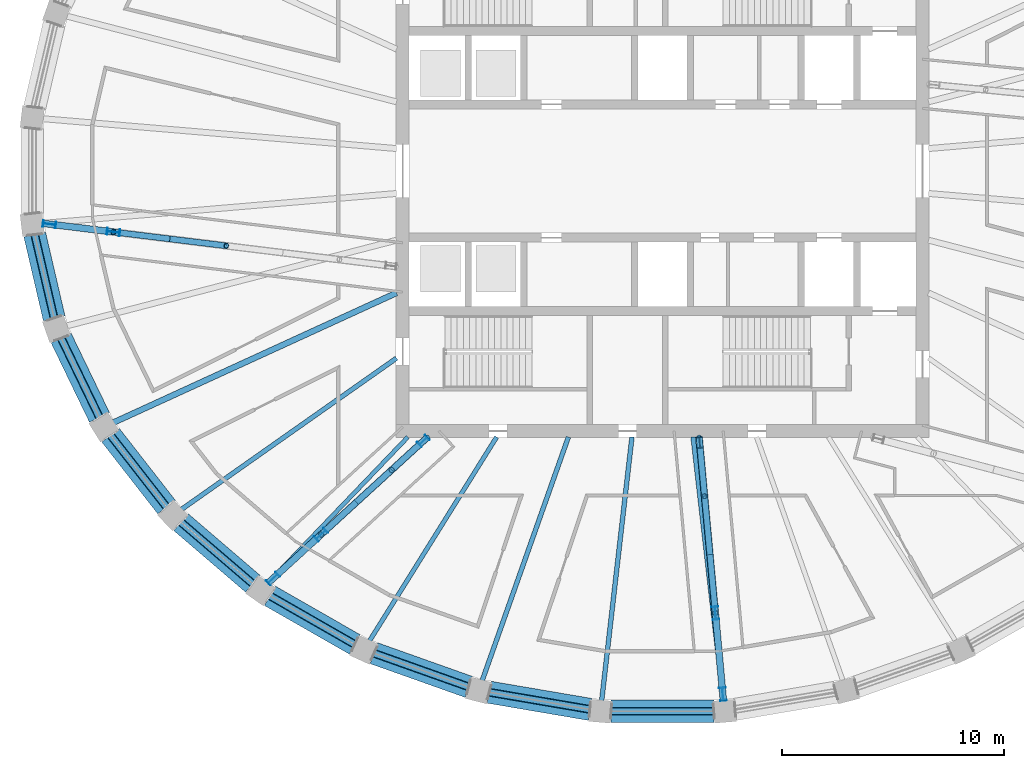
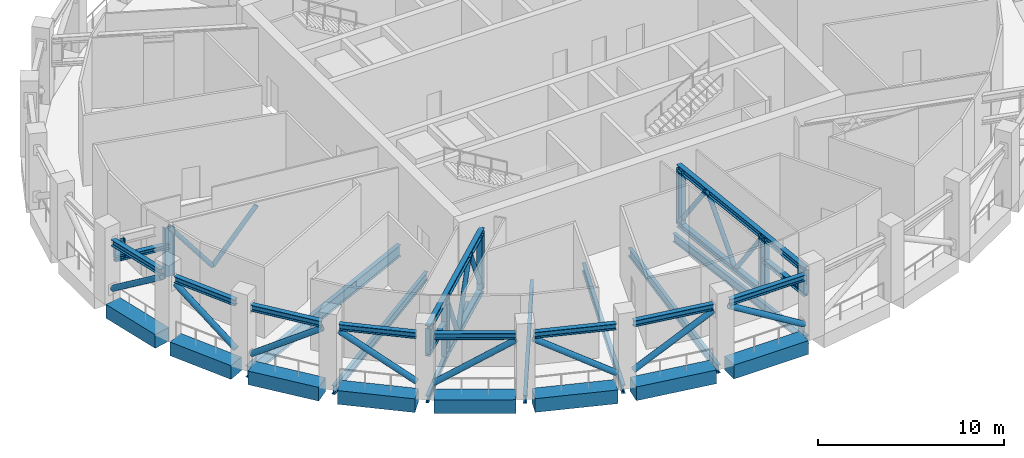
# One storey, part 2 of 20: 39 members, 15 beams.
"""IFC4 building model written with IfcOpenShell, lengths in metres."""

from ifc_helpers import new_model, si_unit, direction, frame, origin, origin_2d, place, context, subcontext, project, spatial, rectangle, hollow_circle, i_section, extrude, material, material_profile, profile_set, type_object, element, save


model = new_model("IFC4")

# Units and contexts
model_context = context("Model", 3, precision=1e-05, world=origin(), true_north=direction((0.0, 1.0)))
body_context = subcontext(model_context, "Body", "Model", "MODEL_VIEW")
ifc_project = project(units=[si_unit("LENGTHUNIT", "METRE"), si_unit("AREAUNIT", "SQUARE_METRE"), si_unit("VOLUMEUNIT", "CUBIC_METRE"), si_unit("PLANEANGLEUNIT", "RADIAN"), si_unit("MASSUNIT", "GRAM", prefix="KILO")], contexts=[model_context])

# Site, building, storey
site_placement = place(None, origin())
site = spatial("IfcSite", under=ifc_project, at=site_placement, CompositionType="ELEMENT")
building_placement = place(site_placement, origin())
building = spatial("IfcBuilding", under=site, at=building_placement, Name="Halqa Exchange Tower", CompositionType="ELEMENT")
storey_placement = place(building_placement, frame((0.0, 0.0, 328.300048828125)))
storey = spatial("IfcBuildingStorey", under=building, at=storey_placement, Name="L77", CompositionType="ELEMENT", Elevation=328.300048828125)

# Members
ifc_material_1 = material(Name="Steel S355", Category="steel")
ifc_material_profile_1 = material_profile(ifc_material_1, i_section(OverallWidth=0.300048828125, OverallDepth=0.39990234375, WebThickness=0.013427734375, FlangeThickness=0.02392578125, FilletRadius=0.027099609375, at=origin_2d()), Name="HEB 400")
ifc_profile_set_1 = profile_set([ifc_material_profile_1], Name="Steel S355")
member_type_1 = type_object("IfcMemberType", Name="Belt truss chord HEB 400", PredefinedType="CHORD", material=ifc_profile_set_1)
member_1_placement = place(storey_placement, frame((-28.255126953125, -2.85791015625, 3.89990234375), z_axis=(0.226024956328, -0.974121511474, 0.0), x_axis=(0.974121511474, 0.226024956328, 0.0)))
element("IfcMember", 1, at=member_1_placement, inside=storey, type_object=member_type_1, Name="Belt chord 17", PredefinedType="CHORD", context=body_context, shape_type="SweptSolid", body=[
    extrude(i_section(OverallWidth=0.300048828125, OverallDepth=0.39990234375, WebThickness=0.013427734375, FlangeThickness=0.02392578125, FilletRadius=0.027099609375, at=origin_2d()), origin(), (0.0, 0.0, 1.0), 3.8701171875),
])
member_2_placement = place(storey_placement, frame((-27.066162109375, -7.51904296875, 3.89990234375), z_axis=(0.435102095342, -0.900381122986, 0.0), x_axis=(0.900381122986, 0.435102095342, 0.0)))
element("IfcMember", 2, at=member_2_placement, inside=storey, type_object=member_type_1, Name="Belt chord 18", PredefinedType="CHORD", context=body_context, shape_type="SweptSolid", body=[
    extrude(i_section(OverallWidth=0.300048828125, OverallDepth=0.39990234375, WebThickness=0.013427734375, FlangeThickness=0.02392578125, FilletRadius=0.027099609375, at=origin_2d()), origin(), (0.0, 0.0, 1.0), 3.96435546875),
])
member_3_placement = place(storey_placement, frame((-24.843505859375, -11.889404296875, 3.89990234375), z_axis=(0.614855529737, -0.78863976412, 0.0), x_axis=(0.78863976412, 0.614855529737, 0.0)))
element("IfcMember", 3, at=member_3_placement, inside=storey, type_object=member_type_1, Name="Belt chord 19", PredefinedType="CHORD", context=body_context, shape_type="SweptSolid", body=[
    extrude(i_section(OverallWidth=0.300048828125, OverallDepth=0.39990234375, WebThickness=0.013427734375, FlangeThickness=0.02392578125, FilletRadius=0.027099609375, at=origin_2d()), origin(), (0.0, 0.0, 1.0), 4.099365234375),
])
member_4_placement = place(storey_placement, frame((-21.67041015625, -15.806396484375, 3.89990234375), z_axis=(0.75928090671, -0.650763017315, 0.0), x_axis=(0.650763017315, 0.75928090671, 0.0)))
element("IfcMember", 4, at=member_4_placement, inside=storey, type_object=member_type_1, Name="Belt chord 20", PredefinedType="CHORD", context=body_context, shape_type="SweptSolid", body=[
    extrude(i_section(OverallWidth=0.300048828125, OverallDepth=0.39990234375, WebThickness=0.013427734375, FlangeThickness=0.02392578125, FilletRadius=0.027099609375, at=origin_2d()), origin(), (0.0, 0.0, 1.0), 4.25439453125),
])
member_5_placement = place(storey_placement, frame((-17.669189453125, -19.118896484375, 3.89990234375), z_axis=(0.867758571209, -0.496985977764, 0.0), x_axis=(0.496985977764, 0.867758571209, 0.0)))
element("IfcMember", 5, at=member_5_placement, inside=storey, type_object=member_type_1, Name="Belt chord 21", PredefinedType="CHORD", context=body_context, shape_type="SweptSolid", body=[
    extrude(i_section(OverallWidth=0.300048828125, OverallDepth=0.39990234375, WebThickness=0.013427734375, FlangeThickness=0.02392578125, FilletRadius=0.027099609375, at=origin_2d()), origin(), (0.0, 0.0, 1.0), 4.406494140625),
])
member_6_placement = place(storey_placement, frame((-12.9873046875, -21.702880859375, 3.89990234375), z_axis=(0.942357563156, -0.334607565908, 0.0), x_axis=(0.334607565908, 0.942357563156, 0.0)))
element("IfcMember", 6, at=member_6_placement, inside=storey, type_object=member_type_1, Name="Belt chord 22", PredefinedType="CHORD", context=body_context, shape_type="SweptSolid", body=[
    extrude(i_section(OverallWidth=0.300048828125, OverallDepth=0.39990234375, WebThickness=0.013427734375, FlangeThickness=0.02392578125, FilletRadius=0.027099609375, at=origin_2d()), origin(), (0.0, 0.0, 1.0), 4.528076171875),
])
member_7_placement = place(storey_placement, frame((-7.8056640625, -23.456298828125, 3.89990234375), z_axis=(0.985773042695, -0.168081849987, 0.0), x_axis=(0.168081849987, 0.985773042695, 0.0)))
element("IfcMember", 7, at=member_7_placement, inside=storey, type_object=member_type_1, Name="Belt chord 23", PredefinedType="CHORD", context=body_context, shape_type="SweptSolid", body=[
    extrude(i_section(OverallWidth=0.300048828125, OverallDepth=0.39990234375, WebThickness=0.013427734375, FlangeThickness=0.02392578125, FilletRadius=0.027099609375, at=origin_2d()), origin(), (0.0, 0.0, 1.0), 4.6103515625),
])
member_8_placement = place(storey_placement, frame((-2.319580078125, -24.31103515625, 3.89990234375), z_axis=(1.0, 0.0, 0.0), x_axis=(0.0, 1.0, 0.0)))
element("IfcMember", 8, at=member_8_placement, inside=storey, type_object=member_type_1, Name="Belt chord 24", PredefinedType="CHORD", context=body_context, shape_type="SweptSolid", body=[
    extrude(i_section(OverallWidth=0.300048828125, OverallDepth=0.39990234375, WebThickness=0.013427734375, FlangeThickness=0.02392578125, FilletRadius=0.027099609375, at=origin_2d()), origin(), (0.0, 0.0, 1.0), 4.63916015625),
])
ifc_material_profile_2 = material_profile(ifc_material_1, hollow_circle(Radius=0.177734375, WallThickness=0.02001953125, at=origin_2d()), Name="CHS 355.6x20")
ifc_profile_set_2 = profile_set([ifc_material_profile_2], Name="Steel S355")
member_type_2 = type_object("IfcMemberType", Name="Belt truss diagonal CHS 355.6x20", PredefinedType="BRACE", material=ifc_profile_set_2)
member_9_placement = place(storey_placement, frame((-28.25537109375, -2.857177734375, 0.8349609375), z_axis=(0.184739014673, -0.796104055143, 0.576272357347), x_axis=(0.974116294117, 0.226047440896, 0.0)))
element("IfcMember", 9, at=member_9_placement, inside=storey, type_object=member_type_2, Name="Belt diagonal 17", PredefinedType="BRACE", context=body_context, shape_type="SweptSolid", body=[
    extrude(hollow_circle(Radius=0.177734375, WallThickness=0.02001953125, at=origin_2d()), origin(), (0.0, 0.0, 1.0), 4.73779296875),
])
member_10_placement = place(storey_placement, frame((-27.06640625, -7.518310546875, 3.57177734375), z_axis=(0.357783030939, -0.740434616264, -0.568988472475), x_axis=(0.900393591265, 0.435076293091, 0.0)))
element("IfcMember", 10, at=member_10_placement, inside=storey, type_object=member_type_2, Name="Belt diagonal 18", PredefinedType="BRACE", context=body_context, shape_type="SweptSolid", body=[
    extrude(hollow_circle(Radius=0.177734375, WallThickness=0.02001953125, at=origin_2d()), origin(), (0.0, 0.0, 1.0), 4.8203125),
])
member_11_placement = place(storey_placement, frame((-24.8427734375, -11.89013671875, 0.81982421875), z_axis=(0.50993340575, -0.654174958089, 0.558590230768), x_axis=(0.788691154444, 0.614789608648, 0.0)))
element("IfcMember", 11, at=member_11_placement, inside=storey, type_object=member_type_2, Name="Belt diagonal 19", PredefinedType="BRACE", context=body_context, shape_type="SweptSolid", body=[
    extrude(hollow_circle(Radius=0.177734375, WallThickness=0.02001953125, at=origin_2d()), origin(), (0.0, 0.0, 1.0), 4.9423828125),
])
member_12_placement = place(storey_placement, frame((-21.67138671875, -15.805419921875, 3.590576171875), z_axis=(0.635586053548, -0.544801769902, -0.547011334477), x_axis=(0.650800824184, 0.75924850164, 0.0)))
element("IfcMember", 12, at=member_12_placement, inside=storey, type_object=member_type_2, Name="Belt diagonal 20", PredefinedType="BRACE", context=body_context, shape_type="SweptSolid", body=[
    extrude(hollow_circle(Radius=0.177734375, WallThickness=0.02001953125, at=origin_2d()), origin(), (0.0, 0.0, 1.0), 5.082763671875),
])
member_13_placement = place(storey_placement, frame((-17.668701171875, -19.119384765625, 0.80126953125), z_axis=(0.73252115506, -0.419499118497, 0.536128013603), x_axis=(0.49695638513, 0.867775518944, 0.0)))
element("IfcMember", 13, at=member_13_placement, inside=storey, type_object=member_type_2, Name="Belt diagonal 21", PredefinedType="BRACE", context=body_context, shape_type="SweptSolid", body=[
    extrude(hollow_circle(Radius=0.177734375, WallThickness=0.02001953125, at=origin_2d()), origin(), (0.0, 0.0, 1.0), 5.218505859375),
])
member_14_placement = place(storey_placement, frame((-12.98876953125, -21.702392578125, 3.606201171875), z_axis=(0.80064623443, -0.284277479463, -0.527401101594), x_axis=(0.33459508249, 0.942361995612, 0.0)))
element("IfcMember", 14, at=member_14_placement, inside=storey, type_object=member_type_2, Name="Belt diagonal 22", PredefinedType="BRACE", context=body_context, shape_type="SweptSolid", body=[
    extrude(hollow_circle(Radius=0.177734375, WallThickness=0.02001953125, at=origin_2d()), origin(), (0.0, 0.0, 1.0), 5.333251953125),
])
member_15_placement = place(storey_placement, frame((-7.80517578125, -23.45654296875, 0.790283203125), z_axis=(0.840929853299, -0.14336290697, 0.521808450234), x_axis=(0.16805670886, 0.98577732912, 0.0)))
element("IfcMember", 15, at=member_15_placement, inside=storey, type_object=member_type_2, Name="Belt diagonal 23", PredefinedType="BRACE", context=body_context, shape_type="SweptSolid", body=[
    extrude(hollow_circle(Radius=0.177734375, WallThickness=0.02001953125, at=origin_2d()), origin(), (0.0, 0.0, 1.0), 5.403564453125),
])
member_16_placement = place(storey_placement, frame((-2.319091796875, -24.31103515625, 3.611328125), z_axis=(0.854238494111, 0.0, -0.519881327977), x_axis=(0.0, 1.0, 0.0)))
element("IfcMember", 16, at=member_16_placement, inside=storey, type_object=member_type_2, Name="Belt diagonal 24", PredefinedType="BRACE", context=body_context, shape_type="SweptSolid", body=[
    extrude(hollow_circle(Radius=0.177734375, WallThickness=0.02001953125, at=origin_2d()), origin(), (0.0, 0.0, 1.0), 5.4296875),
])

# Beams
ifc_material_profile_3 = material_profile(ifc_material_1, i_section(OverallWidth=0.18994140625, OverallDepth=0.449951171875, WebThickness=0.009521484375, FlangeThickness=0.0146484375, FilletRadius=0.02099609375, at=origin_2d()), Name="IPE 450")
ifc_profile_set_3 = profile_set([ifc_material_profile_3], Name="Steel S355")
beam_type_1 = type_object("IfcBeamType", Name="Floor beam IPE 450", PredefinedType="BEAM", material=ifc_profile_set_3)
beam_1_placement = place(storey_placement, frame((-11.462890625, -11.97216796875, -0.574951171875), z_axis=(-0.6915759213, -0.722303776175, 0.0), x_axis=(0.722303776175, -0.6915759213, 0.0)))
element("IfcBeam", 17, at=beam_1_placement, inside=storey, type_object=beam_type_1, Name="Radial beam 21", PredefinedType="BEAM", context=body_context, shape_type="SweptSolid", body=[
    extrude(i_section(OverallWidth=0.18994140625, OverallDepth=0.449951171875, WebThickness=0.009521484375, FlangeThickness=0.0146484375, FilletRadius=0.02099609375, at=origin_2d()), origin(), (0.0, 0.0, 1.0), 9.192626953125),
])
ifc_material_profile_4 = material_profile(ifc_material_1, i_section(OverallWidth=0.199951171875, OverallDepth=0.5, WebThickness=0.01025390625, FlangeThickness=0.01611328125, FilletRadius=0.02099609375, at=origin_2d()), Name="IPE 500")
ifc_profile_set_4 = profile_set([ifc_material_profile_4], Name="Steel S355")
beam_type_2 = type_object("IfcBeamType", Name="Floor beam IPE 500", PredefinedType="BEAM", material=ifc_profile_set_4)
beam_2_placement = place(storey_placement, frame((-7.4658203125, -11.97216796875, -0.60009765625), z_axis=(-0.529137326003, -0.848536204431, 0.0), x_axis=(0.848536204431, -0.529137326003, 0.0)))
element("IfcBeam", 18, at=beam_2_placement, inside=storey, type_object=beam_type_2, Name="Radial beam 22", PredefinedType="BEAM", context=body_context, shape_type="SweptSolid", body=[
    extrude(i_section(OverallWidth=0.199951171875, OverallDepth=0.5, WebThickness=0.01025390625, FlangeThickness=0.01611328125, FilletRadius=0.02099609375, at=origin_2d()), origin(), (0.0, 0.0, 1.0), 10.904541015625),
])
ifc_material_profile_5 = material_profile(ifc_material_1, i_section(OverallWidth=0.2099609375, OverallDepth=0.550048828125, WebThickness=0.010986328125, FlangeThickness=0.01708984375, FilletRadius=0.02392578125, at=origin_2d()), Name="IPE 550")
ifc_profile_set_5 = profile_set([ifc_material_profile_5], Name="Steel S355")
beam_type_3 = type_object("IfcBeamType", Name="Floor beam IPE 550", PredefinedType="BEAM", material=ifc_profile_set_5)
beam_3_placement = place(storey_placement, frame((-11.97265625, -8.422119140625, -0.625), z_axis=(-0.817914568296, -0.57533969007, 0.0), x_axis=(0.57533969007, -0.817914568296, 0.0)))
element("IfcBeam", 19, at=beam_3_placement, inside=storey, type_object=beam_type_3, Name="Radial beam 20", PredefinedType="BEAM", context=body_context, shape_type="SweptSolid", body=[
    extrude(i_section(OverallWidth=0.2099609375, OverallDepth=0.550048828125, WebThickness=0.010986328125, FlangeThickness=0.01708984375, FilletRadius=0.02392578125, at=origin_2d()), origin(), (0.0, 0.0, 1.0), 11.92138671875),
])
beam_4_placement = place(storey_placement, frame((-4.23681640625, -11.971923828125, -0.625), z_axis=(-0.333622781905, -0.942706656067, 0.0), x_axis=(0.942706656067, -0.333622781905, 0.0)))
element("IfcBeam", 20, at=beam_4_placement, inside=storey, type_object=beam_type_3, Name="Radial beam 23", PredefinedType="BEAM", context=body_context, shape_type="SweptSolid", body=[
    extrude(i_section(OverallWidth=0.2099609375, OverallDepth=0.550048828125, WebThickness=0.010986328125, FlangeThickness=0.01708984375, FilletRadius=0.02392578125, at=origin_2d()), origin(), (0.0, 0.0, 1.0), 11.723876953125),
])
for number, where, z_axis, x_axis, name in (
    (21, (-1.37548828125, -11.9716796875, -0.625), (-0.114162628095, -0.993462074941, 0.0), (0.993462074941, -0.114162628095, 0.0), "Radial beam 24"),
    (22, (1.37548828125, -11.9716796875, -0.625), (0.114162628095, -0.993462074941, 0.0), (0.993462074941, 0.114162628095, 0.0), "Radial beam 25"),
):
    element("IfcBeam", number, at=place(storey_placement, frame(where, z_axis=z_axis, x_axis=x_axis)), inside=storey, type_object=beam_type_3, Name=name, PredefinedType="BEAM", context=body_context, shape_type="SweptSolid", body=[
        extrude(i_section(OverallWidth=0.2099609375, OverallDepth=0.550048828125, WebThickness=0.010986328125, FlangeThickness=0.01708984375, FilletRadius=0.02392578125, at=origin_2d()), origin(), (0.0, 0.0, 1.0), 12.048583984375),
    ])
ifc_material_profile_6 = material_profile(ifc_material_1, i_section(OverallWidth=0.264892578125, OverallDepth=0.7529296875, WebThickness=0.01318359375, FlangeThickness=0.01708984375, FilletRadius=0.01708984375, at=origin_2d()), Name="IPE 750x147")
ifc_profile_set_6 = profile_set([ifc_material_profile_6], Name="Steel S355")
beam_type_4 = type_object("IfcBeamType", Name="Floor beam IPE 750x147", PredefinedType="BEAM", material=ifc_profile_set_6)
beam_5_placement = place(storey_placement, frame((-11.972412109375, -5.485107421875, -0.7265625), z_axis=(-0.909126834486, -0.416519385884, 0.0), x_axis=(0.416519385884, -0.909126834486, 0.0)))
element("IfcBeam", 23, at=beam_5_placement, inside=storey, type_object=beam_type_4, Name="Radial beam 19", PredefinedType="BEAM", context=body_context, shape_type="SweptSolid", body=[
    extrude(i_section(OverallWidth=0.264892578125, OverallDepth=0.7529296875, WebThickness=0.01318359375, FlangeThickness=0.01708984375, FilletRadius=0.01708984375, at=origin_2d()), origin(), (0.0, 0.0, 1.0), 14.10205078125),
])

# Members
ifc_material_profile_7 = material_profile(ifc_material_1, i_section(OverallWidth=0.300048828125, OverallDepth=0.39990234375, WebThickness=0.013427734375, FlangeThickness=0.02392578125, FilletRadius=0.027099609375, at=origin_2d()), Name="HEB 400")
ifc_profile_set_7 = profile_set([ifc_material_profile_7], Name="Steel S355")
member_type_3 = type_object("IfcMemberType", Name="Outrigger chord HEB 400", PredefinedType="CHORD", material=ifc_profile_set_7)
member_17_placement = place(storey_placement, frame((-10.580078125, -11.981689453125, 0.199951171875), z_axis=(-0.737931249301, -0.674875893261, 0.0), x_axis=(0.674875893261, -0.737931249301, 0.0)))
element("IfcMember", 24, at=member_17_placement, inside=storey, type_object=member_type_3, Name="Outrigger 6 chord", PredefinedType="CHORD", context=body_context, shape_type="SweptSolid", body=[
    extrude(i_section(OverallWidth=0.300048828125, OverallDepth=0.39990234375, WebThickness=0.013427734375, FlangeThickness=0.02392578125, FilletRadius=0.027099609375, at=origin_2d()), origin(), (0.0, 0.0, 1.0), 6.516357421875),
])
member_18_placement = place(storey_placement, frame((-10.580078125, -11.981689453125, 4.0), z_axis=(-0.737924096709, -0.674883714055, 0.0), x_axis=(0.674883714055, -0.737924096709, 0.0)))
element("IfcMember", 25, at=member_18_placement, inside=storey, type_object=member_type_3, Name="Outrigger 6 chord", PredefinedType="CHORD", context=body_context, shape_type="SweptSolid", body=[
    extrude(i_section(OverallWidth=0.300048828125, OverallDepth=0.39990234375, WebThickness=0.013427734375, FlangeThickness=0.02392578125, FilletRadius=0.027099609375, at=origin_2d()), origin(), (0.0, 0.0, 1.0), 9.720703125),
])
member_19_placement = place(storey_placement, frame((1.6474609375, -11.97314453125, 0.199951171875), z_axis=(0.091644413027, -0.995791796291, 0.0), x_axis=(0.995791796291, 0.091644413027, 0.0)))
element("IfcMember", 26, at=member_19_placement, inside=storey, type_object=member_type_3, Name="Outrigger 7 chord", PredefinedType="CHORD", context=body_context, shape_type="SweptSolid", body=[
    extrude(i_section(OverallWidth=0.300048828125, OverallDepth=0.39990234375, WebThickness=0.013427734375, FlangeThickness=0.02392578125, FilletRadius=0.027099609375, at=origin_2d()), origin(), (0.0, 0.0, 1.0), 7.9814453125),
])
member_20_placement = place(storey_placement, frame((1.6474609375, -11.97314453125, 3.89990234375), z_axis=(0.091629116888, -0.995793203902, 0.0), x_axis=(0.995793203902, 0.091629116888, 0.0)))
element("IfcMember", 27, at=member_20_placement, inside=storey, type_object=member_type_3, Name="Outrigger 7 chord", PredefinedType="CHORD", context=body_context, shape_type="SweptSolid", body=[
    extrude(i_section(OverallWidth=0.300048828125, OverallDepth=0.39990234375, WebThickness=0.013427734375, FlangeThickness=0.02392578125, FilletRadius=0.027099609375, at=origin_2d()), origin(), (0.0, 0.0, 1.0), 11.91796875),
])
ifc_material_profile_8 = material_profile(ifc_material_1, hollow_circle(Radius=0.136474609375, WallThickness=0.01611328125, at=origin_2d()), Name="CHS 273x16")
ifc_profile_set_8 = profile_set([ifc_material_profile_8], Name="Steel S355")
member_type_4 = type_object("IfcMemberType", Name="Outrigger diagonal CHS 273x16", PredefinedType="BRACE", material=ifc_profile_set_8)
for number, where, z_axis, x_axis, name in (
    (28, (-19.6279296875, -3.3662109375, 3.579833984375), (-0.610952714949, 0.074799761049, -0.788125482295), (-0.121523942594, -0.992588500526, 0.0), "Outrigger 5 diagonal"),
    (29, (-22.17041015625, -3.054931640625, 0.300048828125), (-0.610989481413, 0.074797080058, 0.788097234114), (-0.12151244672, -0.992589907914, 0.0), "Outrigger 5 diagonal"),
):
    element("IfcMember", number, at=place(storey_placement, frame(where, z_axis=z_axis, x_axis=x_axis)), inside=storey, type_object=member_type_4, Name=name, PredefinedType="BRACE", context=body_context, shape_type="SweptSolid", body=[
        extrude(hollow_circle(Radius=0.136474609375, WallThickness=0.01611328125, at=origin_2d()), origin(), (0.0, 0.0, 1.0), 4.16162109375),
    ])
member_21_placement = place(storey_placement, frame((-10.60009765625, -12.0, 0.199951171875), z_axis=(-0.363905254313, -0.332829947694, 0.869940912822), x_axis=(0.674897942404, -0.737911083626, 0.0)))
element("IfcMember", 30, at=member_21_placement, inside=storey, type_object=member_type_4, Name="Outrigger 6 diagonal", PredefinedType="BRACE", context=body_context, shape_type="SweptSolid", body=[
    extrude(hollow_circle(Radius=0.136474609375, WallThickness=0.01611328125, at=origin_2d()), origin(), (0.0, 0.0, 1.0), 4.3681640625),
])
member_22_placement = place(storey_placement, frame((-12.189697265625, -13.453857421875, 4.0), z_axis=(-0.363863531865, -0.332787015165, -0.869974788552), x_axis=(0.674892671775, -0.737915904141, 0.0)))
element("IfcMember", 31, at=member_22_placement, inside=storey, type_object=member_type_4, Name="Outrigger 6 diagonal", PredefinedType="BRACE", context=body_context, shape_type="SweptSolid", body=[
    extrude(hollow_circle(Radius=0.136474609375, WallThickness=0.01611328125, at=origin_2d()), origin(), (0.0, 0.0, 1.0), 4.367919921875),
])
member_23_placement = place(storey_placement, frame((-13.779052734375, -14.907470703125, 0.199951171875), z_axis=(-0.363905254313, -0.332829947694, 0.869940912822), x_axis=(0.674897942404, -0.737911083626, 0.0)))
element("IfcMember", 32, at=member_23_placement, inside=storey, type_object=member_type_4, Name="Outrigger 6 diagonal", PredefinedType="BRACE", context=body_context, shape_type="SweptSolid", body=[
    extrude(hollow_circle(Radius=0.136474609375, WallThickness=0.01611328125, at=origin_2d()), origin(), (0.0, 0.0, 1.0), 4.3681640625),
])
for number, where, z_axis, x_axis, name in (
    (33, (1.64990234375, -12.0, 0.199951171875), (0.053266908669, -0.578740666967, 0.813770162171), (0.995791102142, 0.091651955217, 0.0), "Outrigger 7 diagonal"),
    (34, (1.89208984375, -14.63134765625, 3.89990234375), (0.053266908669, -0.578740666967, -0.813770162171), (0.995791102142, 0.091651955217, 0.0), "Outrigger 7 diagonal"),
    (35, (2.13427734375, -17.2626953125, 0.199951171875), (0.053213364315, -0.57874232148, 0.81377248859), (0.995799530182, 0.091560339062, 0.0), "Outrigger 7 diagonal"),
):
    element("IfcMember", number, at=place(storey_placement, frame(where, z_axis=z_axis, x_axis=x_axis)), inside=storey, type_object=member_type_4, Name=name, PredefinedType="BRACE", context=body_context, shape_type="SweptSolid", body=[
        extrude(hollow_circle(Radius=0.136474609375, WallThickness=0.01611328125, at=origin_2d()), origin(), (0.0, 0.0, 1.0), 4.546630859375),
    ])
ifc_material_profile_9 = material_profile(ifc_material_1, i_section(OverallWidth=0.300048828125, OverallDepth=0.300048828125, WebThickness=0.010986328125, FlangeThickness=0.01904296875, FilletRadius=0.027099609375, at=origin_2d()), Name="HEB 300")
ifc_profile_set_9 = profile_set([ifc_material_profile_9], Name="Steel S355")
member_type_5 = type_object("IfcMemberType", Name="Outrigger opening chord HEB 300", PredefinedType="CHORD", material=ifc_profile_set_9)
member_24_placement = place(storey_placement, frame((-24.713134765625, -2.74365234375, 2.349853515625), z_axis=(-0.992587890298, 0.121528926733, 0.0), x_axis=(-0.121528926733, -0.992587890298, 0.0)))
element("IfcMember", 36, at=member_24_placement, inside=storey, type_object=member_type_5, Name="Outrigger 5 opening chord", PredefinedType="CHORD", context=body_context, shape_type="SweptSolid", body=[
    extrude(i_section(OverallWidth=0.300048828125, OverallDepth=0.300048828125, WebThickness=0.010986328125, FlangeThickness=0.01904296875, FilletRadius=0.027099609375, at=origin_2d()), origin(), (0.0, 0.0, 1.0), 3.2021484375),
])
member_25_placement = place(storey_placement, frame((-15.36865234375, -16.361328125, 2.349853515625), z_axis=(-0.737947103563, -0.674858557287, 0.0), x_axis=(0.674858557287, -0.737947103563, 0.0)))
element("IfcMember", 37, at=member_25_placement, inside=storey, type_object=member_type_5, Name="Outrigger 6 opening chord", PredefinedType="CHORD", context=body_context, shape_type="SweptSolid", body=[
    extrude(i_section(OverallWidth=0.300048828125, OverallDepth=0.300048828125, WebThickness=0.010986328125, FlangeThickness=0.01904296875, FilletRadius=0.027099609375, at=origin_2d()), origin(), (0.0, 0.0, 1.0), 3.231201171875),
])
member_26_placement = place(storey_placement, frame((2.376220703125, -19.89404296875, 2.349853515625), z_axis=(0.091651955217, -0.995791102142, 0.0), x_axis=(0.995791102142, 0.091651955217, 0.0)))
element("IfcMember", 38, at=member_26_placement, inside=storey, type_object=member_type_5, Name="Outrigger 7 opening chord", PredefinedType="CHORD", context=body_context, shape_type="SweptSolid", body=[
    extrude(i_section(OverallWidth=0.300048828125, OverallDepth=0.300048828125, WebThickness=0.010986328125, FlangeThickness=0.01904296875, FilletRadius=0.027099609375, at=origin_2d()), origin(), (0.0, 0.0, 1.0), 3.963623046875),
])
ifc_material_profile_10 = material_profile(ifc_material_1, i_section(OverallWidth=0.300048828125, OverallDepth=0.5, WebThickness=0.014404296875, FlangeThickness=0.028076171875, FilletRadius=0.027099609375, at=origin_2d()), Name="HEB 500")
ifc_profile_set_10 = profile_set([ifc_material_profile_10], Name="Steel S355")
member_type_6 = type_object("IfcMemberType", Name="Outrigger post HEB 500", PredefinedType="POST", material=ifc_profile_set_10)
member_27_placement = place(storey_placement, frame((-10.7646484375, -12.150390625, 0.199951171875), z_axis=(0.0, 0.0, 1.0), x_axis=(0.674740477055, -0.738055071539, 0.0)))
element("IfcMember", 39, at=member_27_placement, inside=storey, type_object=member_type_6, Name="Outrigger 6 post", PredefinedType="POST", context=body_context, shape_type="SweptSolid", body=[
    extrude(i_section(OverallWidth=0.300048828125, OverallDepth=0.5, WebThickness=0.014404296875, FlangeThickness=0.028076171875, FilletRadius=0.027099609375, at=origin_2d()), origin(), (0.0, 0.0, 1.0), 3.800048828125),
])
member_28_placement = place(storey_placement, frame((1.67041015625, -12.22216796875, 0.199951171875), z_axis=(0.0, 0.0, 1.0), x_axis=(0.99579853713, 0.091571138739, 0.0)))
element("IfcMember", 40, at=member_28_placement, inside=storey, type_object=member_type_6, Name="Outrigger 7 post", PredefinedType="POST", context=body_context, shape_type="SweptSolid", body=[
    extrude(i_section(OverallWidth=0.300048828125, OverallDepth=0.5, WebThickness=0.014404296875, FlangeThickness=0.028076171875, FilletRadius=0.027099609375, at=origin_2d()), origin(), (0.0, 0.0, 1.0), 3.699951171875),
])
ifc_material_profile_11 = material_profile(ifc_material_1, i_section(OverallWidth=0.300048828125, OverallDepth=0.60009765625, WebThickness=0.015380859375, FlangeThickness=0.030029296875, FilletRadius=0.027099609375, at=origin_2d()), Name="HEB 600")
ifc_profile_set_11 = profile_set([ifc_material_profile_11], Name="Steel S355")
member_type_7 = type_object("IfcMemberType", Name="Outrigger post HEB 600", PredefinedType="POST", material=ifc_profile_set_11)
member_29_placement = place(storey_placement, frame((-24.713134765625, -2.74365234375, 0.300048828125), z_axis=(0.0, 0.0, 1.0), x_axis=(-0.121852020188, -0.992548278511, 0.0)))
element("IfcMember", 41, at=member_29_placement, inside=storey, type_object=member_type_7, Name="Outrigger 5 post", PredefinedType="POST", context=body_context, shape_type="SweptSolid", body=[
    extrude(i_section(OverallWidth=0.300048828125, OverallDepth=0.60009765625, WebThickness=0.015380859375, FlangeThickness=0.030029296875, FilletRadius=0.027099609375, at=origin_2d()), origin(), (0.0, 0.0, 1.0), 3.27978515625),
])
member_30_placement = place(storey_placement, frame((-27.59375, -2.39111328125, 2.349853515625), z_axis=(0.0, 0.0, 1.0), x_axis=(-0.121852020188, -0.992548278511, 0.0)))
element("IfcMember", 42, at=member_30_placement, inside=storey, type_object=member_type_7, Name="Outrigger 5 post", PredefinedType="POST", context=body_context, shape_type="SweptSolid", body=[
    extrude(i_section(OverallWidth=0.300048828125, OverallDepth=0.60009765625, WebThickness=0.015380859375, FlangeThickness=0.030029296875, FilletRadius=0.027099609375, at=origin_2d()), origin(), (0.0, 0.0, 1.0), 1.22998046875),
])
member_31_placement = place(storey_placement, frame((-15.36865234375, -16.361328125, 0.199951171875), z_axis=(0.0, 0.0, 1.0), x_axis=(0.674740477055, -0.738055071539, 0.0)))
element("IfcMember", 43, at=member_31_placement, inside=storey, type_object=member_type_7, Name="Outrigger 6 post", PredefinedType="POST", context=body_context, shape_type="SweptSolid", body=[
    extrude(i_section(OverallWidth=0.300048828125, OverallDepth=0.60009765625, WebThickness=0.015380859375, FlangeThickness=0.030029296875, FilletRadius=0.027099609375, at=origin_2d()), origin(), (0.0, 0.0, 1.0), 3.800048828125),
])
member_32_placement = place(storey_placement, frame((-17.53173828125, -18.339599609375, 2.349853515625), z_axis=(0.0, 0.0, 1.0), x_axis=(0.674740477055, -0.738055071539, 0.0)))
element("IfcMember", 44, at=member_32_placement, inside=storey, type_object=member_type_7, Name="Outrigger 6 post", PredefinedType="POST", context=body_context, shape_type="SweptSolid", body=[
    extrude(i_section(OverallWidth=0.300048828125, OverallDepth=0.60009765625, WebThickness=0.015380859375, FlangeThickness=0.030029296875, FilletRadius=0.027099609375, at=origin_2d()), origin(), (0.0, 0.0, 1.0), 1.650146484375),
])
member_33_placement = place(storey_placement, frame((2.376220703125, -19.89404296875, 0.199951171875), z_axis=(0.0, 0.0, 1.0), x_axis=(0.99579853713, 0.091571138739, 0.0)))
element("IfcMember", 45, at=member_33_placement, inside=storey, type_object=member_type_7, Name="Outrigger 7 post", PredefinedType="POST", context=body_context, shape_type="SweptSolid", body=[
    extrude(i_section(OverallWidth=0.300048828125, OverallDepth=0.60009765625, WebThickness=0.015380859375, FlangeThickness=0.030029296875, FilletRadius=0.027099609375, at=origin_2d()), origin(), (0.0, 0.0, 1.0), 3.699951171875),
])
member_34_placement = place(storey_placement, frame((2.7119140625, -23.54248046875, 2.349853515625), z_axis=(0.0, 0.0, 1.0), x_axis=(0.99579853713, 0.091571138739, 0.0)))
element("IfcMember", 46, at=member_34_placement, inside=storey, type_object=member_type_7, Name="Outrigger 7 post", PredefinedType="POST", context=body_context, shape_type="SweptSolid", body=[
    extrude(i_section(OverallWidth=0.300048828125, OverallDepth=0.60009765625, WebThickness=0.015380859375, FlangeThickness=0.030029296875, FilletRadius=0.027099609375, at=origin_2d()), origin(), (0.0, 0.0, 1.0), 1.550048828125),
])

# Beams
ifc_material_2 = material(Name="Concrete C60/75", Category="concrete")
ifc_material_profile_12 = material_profile(ifc_material_2, rectangle(XDim=1.0, YDim=0.89990234375, at=origin_2d()), Name="1000 x 900")
ifc_profile_set_12 = profile_set([ifc_material_profile_12], Name="Concrete C60/75")
beam_type_5 = type_object("IfcBeamType", Name="RC spandrel beam 1000 x 900 C60/75", PredefinedType="SPANDREL", material=ifc_profile_set_12)
beam_6_placement = place(storey_placement, frame((-28.25537109375, -2.857177734375, -0.449951171875), z_axis=(0.226093384766, -0.974105631523, 0.0), x_axis=(0.974105631523, 0.226093384766, 0.0)))
element("IfcBeam", 47, at=beam_6_placement, inside=storey, type_object=beam_type_5, Name="Spandrel 17", PredefinedType="SPANDREL", context=body_context, shape_type="SweptSolid", body=[
    extrude(rectangle(XDim=1.0, YDim=0.89990234375, at=origin_2d()), origin(), (0.0, 0.0, 1.0), 3.872314453125),
])
beam_7_placement = place(storey_placement, frame((-27.06591796875, -7.519287109375, -0.449951171875), z_axis=(0.43505216676, -0.900405248873, 0.0), x_axis=(0.900405248873, 0.43505216676, 0.0)))
element("IfcBeam", 48, at=beam_7_placement, inside=storey, type_object=beam_type_5, Name="Spandrel 18", PredefinedType="SPANDREL", context=body_context, shape_type="SweptSolid", body=[
    extrude(rectangle(XDim=1.0, YDim=0.89990234375, at=origin_2d()), origin(), (0.0, 0.0, 1.0), 3.964111328125),
])
beam_8_placement = place(storey_placement, frame((-24.8427734375, -11.89013671875, -0.449951171875), z_axis=(0.61480594236, -0.788678421943, 0.0), x_axis=(0.788678421943, 0.61480594236, 0.0)))
element("IfcBeam", 49, at=beam_8_placement, inside=storey, type_object=beam_type_5, Name="Spandrel 19", PredefinedType="SPANDREL", context=body_context, shape_type="SweptSolid", body=[
    extrude(rectangle(XDim=1.0, YDim=0.89990234375, at=origin_2d()), origin(), (0.0, 0.0, 1.0), 4.10009765625),
])
beam_9_placement = place(storey_placement, frame((-21.670654296875, -15.805908203125, -0.449951171875), z_axis=(0.759232294843, -0.65081973116, 0.0), x_axis=(0.65081973116, 0.759232294843, 0.0)))
element("IfcBeam", 50, at=beam_9_placement, inside=storey, type_object=beam_type_5, Name="Spandrel 20", PredefinedType="SPANDREL", context=body_context, shape_type="SweptSolid", body=[
    extrude(rectangle(XDim=1.0, YDim=0.89990234375, at=origin_2d()), origin(), (0.0, 0.0, 1.0), 4.25390625),
])
beam_10_placement = place(storey_placement, frame((-17.669189453125, -19.119140625, -0.449951171875), z_axis=(0.86778573249, -0.49693855001, 0.0), x_axis=(0.49693855001, 0.86778573249, 0.0)))
element("IfcBeam", 51, at=beam_10_placement, inside=storey, type_object=beam_type_5, Name="Spandrel 21", PredefinedType="SPANDREL", context=body_context, shape_type="SweptSolid", body=[
    extrude(rectangle(XDim=1.0, YDim=0.89990234375, at=origin_2d()), origin(), (0.0, 0.0, 1.0), 4.40478515625),
])
beam_11_placement = place(storey_placement, frame((-12.98828125, -21.70263671875, -0.449951171875), z_axis=(0.94236088808, -0.334598201755, 0.0), x_axis=(0.334598201755, 0.94236088808, 0.0)))
element("IfcBeam", 52, at=beam_11_placement, inside=storey, type_object=beam_type_5, Name="Spandrel 22", PredefinedType="SPANDREL", context=body_context, shape_type="SweptSolid", body=[
    extrude(rectangle(XDim=1.0, YDim=0.89990234375, at=origin_2d()), origin(), (0.0, 0.0, 1.0), 4.530517578125),
])
beam_12_placement = place(storey_placement, frame((-7.805419921875, -23.456298828125, -0.449951171875), z_axis=(0.985773042695, -0.168081849987, 0.0), x_axis=(0.168081849987, 0.985773042695, 0.0)))
element("IfcBeam", 53, at=beam_12_placement, inside=storey, type_object=beam_type_5, Name="Spandrel 23", PredefinedType="SPANDREL", context=body_context, shape_type="SweptSolid", body=[
    extrude(rectangle(XDim=1.0, YDim=0.89990234375, at=origin_2d()), origin(), (0.0, 0.0, 1.0), 4.6103515625),
])
beam_13_placement = place(storey_placement, frame((-2.319580078125, -24.31103515625, -0.449951171875), z_axis=(1.0, 0.0, 0.0), x_axis=(0.0, 1.0, 0.0)))
element("IfcBeam", 54, at=beam_13_placement, inside=storey, type_object=beam_type_5, Name="Spandrel 24", PredefinedType="SPANDREL", context=body_context, shape_type="SweptSolid", body=[
    extrude(rectangle(XDim=1.0, YDim=0.89990234375, at=origin_2d()), origin(), (0.0, 0.0, 1.0), 4.63916015625),
])

save(model, "model.ifc")
